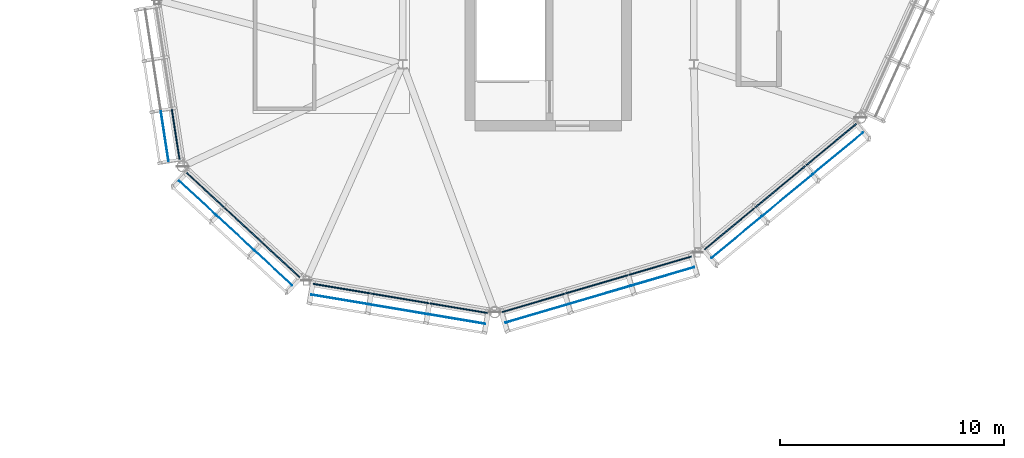
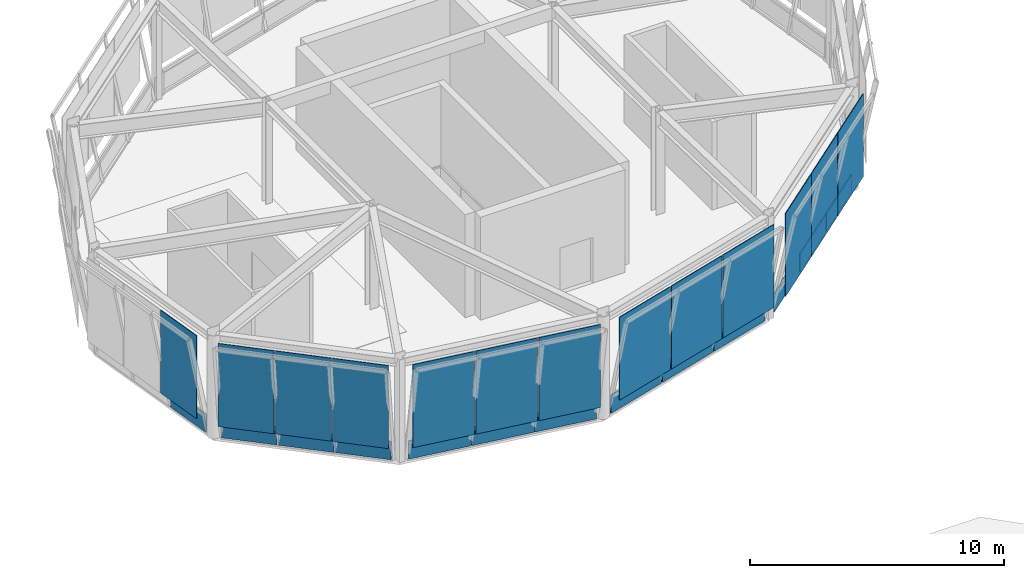
# One storey, part 73 of 113: 26 plates, 5 elements without a shape of their own.
"""IFC4 building model written with IfcOpenShell, lengths in metres."""

import ifcopenshell
import ifcopenshell.guid

model = None  # the IFC model being written
_history = None  # IfcOwnerHistory: only IFC2X3 demands one
_inside = {}  # id of a spatial element -> (the spatial element, [elements in it])
_under = {}  # id of a project, library or spatial element -> (it, [spatial elements below it])
_declared = {}  # id of a project -> (the project, [libraries it declares])
_typed = {}  # id of a type object -> (the type object, [elements of that type])
_made_of = {}  # id of a material, layer set ... -> (it, [elements and type objects made of it])


def new_model(schema):
    """Start an empty IFC model of exactly this schema.

    Asked for "IFC4X3", IfcOpenShell would pick the latest addendum, in which some entities
    have other attributes; the version numbers below select the first issue.
    IFC2X3 requires an IfcOwnerHistory on every rooted entity: one is made here for all.
    """
    global model, _history
    if schema == "IFC4X3":
        model = ifcopenshell.file(schema_version=(4, 3, 0, 0))
    else:
        model = ifcopenshell.file(schema=schema)
    _inside.clear()
    _under.clear()
    _declared.clear()
    _typed.clear()
    _made_of.clear()
    _history = None
    if model.schema == "IFC2X3":
        org = make("IfcOrganization", Name="unknown")
        user = make(
            "IfcPersonAndOrganization",
            ThePerson=make("IfcPerson", FamilyName="unknown"),
            TheOrganization=org,
        )
        app = make(
            "IfcApplication",
            ApplicationDeveloper=org,
            Version="unknown",
            ApplicationFullName="unknown",
            ApplicationIdentifier="unknown",
        )
        _history = make(
            "IfcOwnerHistory",
            OwningUser=user,
            OwningApplication=app,
            ChangeAction="ADDED",
            CreationDate=0,
        )
    return model


def make(cls, **values):
    """One entity of the class cls with the attributes given. An attribute that is None is left unset."""
    return model.create_entity(
        cls, **{name: value for name, value in values.items() if value is not None}
    )


def rooted(cls, **values):
    """An entity with a GlobalId (a new one), such as an element, a storey or a relation."""
    return make(cls, GlobalId=ifcopenshell.guid.new(), OwnerHistory=_history, **values)


def si_unit(unit_type, name, prefix=None):
    """IfcSIUnit, for example si_unit("LENGTHUNIT", "METRE", prefix="MILLI")."""
    return make("IfcSIUnit", UnitType=unit_type, Prefix=prefix, Name=name)


def assignment(units):
    """IfcUnitAssignment: the units of a project."""
    return None if units is None else make("IfcUnitAssignment", Units=units)


def point(xyz):
    """IfcCartesianPoint."""
    return None if xyz is None else make("IfcCartesianPoint", Coordinates=xyz)


def direction(xyz):
    """IfcDirection."""
    return None if xyz is None else make("IfcDirection", DirectionRatios=xyz)


def frame(location, z_axis=None, x_axis=None):
    """IfcAxis2Placement3D, a coordinate frame: its origin and axes. An axis left out is left unset."""
    return make(
        "IfcAxis2Placement3D",
        Location=point(location),
        Axis=direction(z_axis),
        RefDirection=direction(x_axis),
    )


def frame_2d(location, x_axis=None):
    """IfcAxis2Placement2D, a coordinate frame in the plane: its origin and x axis."""
    return make(
        "IfcAxis2Placement2D", Location=point(location), RefDirection=direction(x_axis)
    )


def origin():
    """The frame at (0, 0, 0) with its axes left unset."""
    return frame((0.0, 0.0, 0.0))


def origin_2d():
    """The frame at (0, 0) in the plane with its x axis left unset."""
    return frame_2d((0.0, 0.0))


def place(relative_to, where):
    """IfcLocalPlacement: puts the frame where relative to a parent placement (None: the world)."""
    return make(
        "IfcLocalPlacement", PlacementRelTo=relative_to, RelativePlacement=where
    )


def context(
    kind, dimensions, precision=None, world=None, true_north=None, identifier=None
):
    """IfcGeometricRepresentationContext, for example the 3D "Model" context."""
    return make(
        "IfcGeometricRepresentationContext",
        ContextIdentifier=identifier,
        ContextType=kind,
        CoordinateSpaceDimension=dimensions,
        Precision=precision,
        WorldCoordinateSystem=world,
        TrueNorth=true_north,
    )


def subcontext(parent, identifier, kind, view, scale=None):
    """IfcGeometricRepresentationSubContext, for example "Body" below "Model"."""
    return make(
        "IfcGeometricRepresentationSubContext",
        ContextIdentifier=identifier,
        ContextType=kind,
        ParentContext=parent,
        TargetScale=scale,
        TargetView=view,
    )


def project(units=None, contexts=None):
    """IfcProject with its units and contexts."""
    return rooted(
        "IfcProject",
        Name="project",
        RepresentationContexts=contexts,
        UnitsInContext=assignment(units),
    )


def spatial(cls, under=None, at=None, **own):
    """A site, building, storey or space (cls), placed at a placement, below another one or the project."""
    s = rooted(cls, ObjectPlacement=at, **own)
    if under is not None:
        _under.setdefault(under.id(), (under, []))[1].append(s)
    return s


def profile(cls, at=None, kind="AREA", **sizes):
    """A parametric profile (cls). Its sizes go by their IFC names, for example OverallWidth=200.0."""
    return make(cls, ProfileType=kind, Position=at, **sizes)


def rectangle(**sizes):
    """IfcRectangleProfileDef."""
    return profile("IfcRectangleProfileDef", **sizes)


def extrude(swept, where, along, depth):
    """IfcExtrudedAreaSolid: the profile swept, set in the frame where, extruded along a direction by depth."""
    return make(
        "IfcExtrudedAreaSolid",
        SweptArea=swept,
        Position=where,
        ExtrudedDirection=direction(along),
        Depth=depth,
    )


def shape(context_of_items, identifier, shape_type, items):
    """IfcShapeRepresentation: the items that make up one representation, for example the "Body"."""
    return make(
        "IfcShapeRepresentation",
        ContextOfItems=context_of_items,
        RepresentationIdentifier=identifier,
        RepresentationType=shape_type,
        Items=items,
    )


def material(Name=None, Category=None):
    """IfcMaterial."""
    return make("IfcMaterial", Name=Name, Category=Category)


def layer(
    of_material, thickness, ventilated=None, Name=None, Category=None, Priority=None
):
    """IfcMaterialLayer: one layer of a wall or slab, of a material (None: an air gap)."""
    return make(
        "IfcMaterialLayer",
        Material=of_material,
        LayerThickness=thickness,
        IsVentilated=ventilated,
        Name=Name,
        Category=Category,
        Priority=Priority,
    )


def layer_set(layers, Name=None):
    """IfcMaterialLayerSet."""
    return make("IfcMaterialLayerSet", MaterialLayers=layers, LayerSetName=Name)


def made_of(thing, what):
    """Note that an element or type object is made of a material, layer set ...; save() writes the relation."""
    if what is not None:
        _made_of.setdefault(what.id(), (what, []))[1].append(thing)
    return thing


def type_object(cls, material=None, **own):
    """A type object (cls), such as IfcWallType, which elements share."""
    return made_of(rooted(cls, **own), material)


def element(
    cls,
    number,
    at=None,
    inside=None,
    cuts=None,
    type_object=None,
    material=None,
    context=None,
    identifier="Body",
    shape_type=None,
    held_by="IfcProductDefinitionShape",
    body=None,
    shapes=None,
    **own,
):
    """One element of the class cls, such as IfcWall. Its Tag is "e" and its number.

    at: its placement. inside: the storey or other place that contains it. cuts: it is an
    opening in that element (IfcRelVoidsElement). A single representation is given by context,
    identifier, shape_type and body (its items); several are given by shapes. held_by: the class
    of the entity that holds the representations. save() writes the other relations.
    """
    e = rooted(cls, Tag="e%d" % number, ObjectPlacement=at, **own)
    if body is not None:
        shapes = [shape(context, identifier, shape_type, body)]
    if shapes is not None:
        e.Representation = make(held_by, Representations=shapes)
    if inside is not None:
        _inside.setdefault(inside.id(), (inside, []))[1].append(e)
    if cuts is not None:
        rooted(
            "IfcRelVoidsElement", RelatingBuildingElement=cuts, RelatedOpeningElement=e
        )
    if type_object is not None:
        _typed.setdefault(type_object.id(), (type_object, []))[1].append(e)
    return made_of(e, material)


def aggregate(whole, parts):
    """IfcRelAggregates: a whole, such as a stair, and the parts it consists of."""
    return rooted("IfcRelAggregates", RelatingObject=whole, RelatedObjects=parts)


def save(model, path):
    """Write the relations noted so far, then the file.

    IfcRelAggregates (storeys below a building ...), IfcRelContainedInSpatialStructure (elements
    in a storey), IfcRelDefinesByType, IfcRelAssociatesMaterial and IfcRelDeclares: one each for
    every whole, place, type object, material and project.
    """
    for whole, parts in _under.values():
        aggregate(whole, parts)
    for where, things in _inside.values():
        rooted(
            "IfcRelContainedInSpatialStructure",
            RelatedElements=things,
            RelatingStructure=where,
        )
    for kind, things in _typed.values():
        rooted("IfcRelDefinesByType", RelatedObjects=things, RelatingType=kind)
    for what, things in _made_of.values():
        rooted("IfcRelAssociatesMaterial", RelatedObjects=things, RelatingMaterial=what)
    for by, libraries in _declared.values():
        rooted("IfcRelDeclares", RelatingContext=by, RelatedDefinitions=libraries)
    model.write(path)


model = new_model("IFC4")

# Units and contexts
model_context = context("Model", 3, precision=1e-05, world=origin(), true_north=direction((0.0, 1.0)))
body_context = subcontext(model_context, "Body", "Model", "MODEL_VIEW")
ifc_project = project(units=[si_unit("LENGTHUNIT", "METRE"), si_unit("AREAUNIT", "SQUARE_METRE"), si_unit("VOLUMEUNIT", "CUBIC_METRE"), si_unit("PLANEANGLEUNIT", "RADIAN"), si_unit("MASSUNIT", "GRAM", prefix="KILO")], contexts=[model_context])

# Site, building, storey
site_placement = place(None, origin())
site = spatial("IfcSite", under=ifc_project, at=site_placement, CompositionType="ELEMENT")
building_placement = place(site_placement, origin())
building = spatial("IfcBuilding", under=site, at=building_placement, Name="Linyun Crest Stadium", CompositionType="ELEMENT")
storey_placement = place(building_placement, frame((0.0, 0.0, 26.39990234375)))
storey = spatial("IfcBuildingStorey", under=building, at=storey_placement, Name="L06", CompositionType="ELEMENT", Elevation=26.39990234375)

# Curtain wall, plate
ifc_material_1 = material(Name="Verdigris steel and low-E curtain wall assembly", Category="steel")
curtain_wall_type = type_object("IfcCurtainWallType", Name="MCW04", PredefinedType="NOTDEFINED", material=ifc_material_1)
curtain_wall_1_placement = place(storey_placement, origin())
curtain_wall_1 = element("IfcCurtainWall", 1, at=curtain_wall_1_placement, inside=storey, type_object=curtain_wall_type, Name="CWR-066", PredefinedType="NOTDEFINED")
ifc_material_2 = material(Name="Acoustic laminated low-E broadcast glass", Category="glass")
ifc_layer_1 = layer(ifc_material_2, 0.030029296875)
ifc_layer_set_1 = layer_set([ifc_layer_1], Name="Acoustic laminated low-E broadcast glass")
plate_type_1 = type_object("IfcPlateType", Name="GP02", PredefinedType="CURTAIN_PANEL", material=ifc_layer_set_1)
plate_1_placement = place(storey_placement, frame((56.364990234375, 77.2880859375, 0.884521484375), z_axis=(0.0, 0.0, 1.0), x_axis=(0.152054385169, -0.988372128275, 0.0)))
plate_1 = element("IfcPlate", 2, at=plate_1_placement, type_object=plate_type_1, Name="CWR-066 panel 3.2", PredefinedType="CURTAIN_PANEL", context=body_context, shape_type="SweptSolid", body=[
    extrude(rectangle(XDim=2.256103515625, YDim=0.030029296875, at=origin_2d()), origin(), (0.0, 0.0, 1.0), 3.9912109375),
])

# Curtain wall, plates
curtain_wall_2_placement = place(storey_placement, origin())
curtain_wall_2 = element("IfcCurtainWall", 3, at=curtain_wall_2_placement, inside=storey, type_object=curtain_wall_type, Name="CWR-067", PredefinedType="NOTDEFINED")
plate_2_placement = place(storey_placement, frame((57.833984375, 74.52294921875, 0.884521484375), z_axis=(0.0, 0.0, 1.0), x_axis=(0.734298814372, -0.678826377811, 0.0)))
plate_2 = element("IfcPlate", 4, at=plate_2_placement, type_object=plate_type_1, Name="CWR-067 panel 1.2", PredefinedType="CURTAIN_PANEL", context=body_context, shape_type="SweptSolid", body=[
    extrude(rectangle(XDim=2.2568359375, YDim=0.030029296875, at=origin_2d()), origin(), (0.0, 0.0, 1.0), 3.9912109375),
])
plate_3_placement = place(storey_placement, frame((59.528076171875, 72.95703125, 0.884521484375), z_axis=(0.0, 0.0, 1.0), x_axis=(0.734298814372, -0.678826377811, 0.0)))
plate_3 = element("IfcPlate", 5, at=plate_3_placement, type_object=plate_type_1, Name="CWR-067 panel 2.2", PredefinedType="CURTAIN_PANEL", context=body_context, shape_type="SweptSolid", body=[
    extrude(rectangle(XDim=2.2568359375, YDim=0.030029296875, at=origin_2d()), origin(), (0.0, 0.0, 1.0), 3.9912109375),
])
plate_4_placement = place(storey_placement, frame((61.221923828125, 71.39111328125, 0.884521484375), z_axis=(0.0, 0.0, 1.0), x_axis=(0.734298814372, -0.678826377811, 0.0)))
plate_4 = element("IfcPlate", 6, at=plate_4_placement, type_object=plate_type_1, Name="CWR-067 panel 3.2", PredefinedType="CURTAIN_PANEL", context=body_context, shape_type="SweptSolid", body=[
    extrude(rectangle(XDim=2.2568359375, YDim=0.030029296875, at=origin_2d()), origin(), (0.0, 0.0, 1.0), 3.9912109375),
])

curtain_wall_3_placement = place(storey_placement, origin())
curtain_wall_3 = element("IfcCurtainWall", 7, at=curtain_wall_3_placement, inside=storey, type_object=curtain_wall_type, Name="CWR-068", PredefinedType="NOTDEFINED")
plate_5_placement = place(storey_placement, frame((64.19091796875, 69.988037109375, 0.884521484375), z_axis=(0.0, 0.0, 1.0), x_axis=(0.986282720763, -0.165064819767, 0.0)))
plate_5 = element("IfcPlate", 8, at=plate_5_placement, type_object=plate_type_1, Name="CWR-068 panel 1.2", PredefinedType="CURTAIN_PANEL", context=body_context, shape_type="SweptSolid", body=[
    extrude(rectangle(XDim=2.59521484375, YDim=0.030029296875, at=origin_2d()), origin(), (0.0, 0.0, 1.0), 3.9912109375),
])
plate_6_placement = place(storey_placement, frame((66.800048828125, 69.551025390625, 0.884521484375), z_axis=(0.0, 0.0, 1.0), x_axis=(0.986282720763, -0.165064819767, 0.0)))
plate_6 = element("IfcPlate", 9, at=plate_6_placement, type_object=plate_type_1, Name="CWR-068 panel 2.2", PredefinedType="CURTAIN_PANEL", context=body_context, shape_type="SweptSolid", body=[
    extrude(rectangle(XDim=2.59521484375, YDim=0.030029296875, at=origin_2d()), origin(), (0.0, 0.0, 1.0), 3.9912109375),
])
plate_7_placement = place(storey_placement, frame((69.408935546875, 69.114013671875, 0.884521484375), z_axis=(0.0, 0.0, 1.0), x_axis=(0.986282720763, -0.165064819767, 0.0)))
plate_7 = element("IfcPlate", 10, at=plate_7_placement, type_object=plate_type_1, Name="CWR-068 panel 3.2", PredefinedType="CURTAIN_PANEL", context=body_context, shape_type="SweptSolid", body=[
    extrude(rectangle(XDim=2.59521484375, YDim=0.030029296875, at=origin_2d()), origin(), (0.0, 0.0, 1.0), 3.9912109375),
])

curtain_wall_4_placement = place(storey_placement, origin())
curtain_wall_4 = element("IfcCurtainWall", 11, at=curtain_wall_4_placement, inside=storey, type_object=curtain_wall_type, Name="CWR-069", PredefinedType="NOTDEFINED")
plate_8_placement = place(storey_placement, frame((72.972900390625, 69.362060546875, 0.884521484375), z_axis=(0.0, 0.0, 1.0), x_axis=(0.959437077917, 0.281922850294, 0.0)))
plate_8 = element("IfcPlate", 12, at=plate_8_placement, type_object=plate_type_1, Name="CWR-069 panel 1.2", PredefinedType="CURTAIN_PANEL", context=body_context, shape_type="SweptSolid", body=[
    extrude(rectangle(XDim=2.897705078125, YDim=0.030029296875, at=origin_2d()), origin(), (0.0, 0.0, 1.0), 3.9912109375),
])
plate_9_placement = place(storey_placement, frame((75.801025390625, 70.193115234375, 0.884521484375), z_axis=(0.0, 0.0, 1.0), x_axis=(0.959437077917, 0.281922850294, 0.0)))
plate_9 = element("IfcPlate", 13, at=plate_9_placement, type_object=plate_type_1, Name="CWR-069 panel 2.2", PredefinedType="CURTAIN_PANEL", context=body_context, shape_type="SweptSolid", body=[
    extrude(rectangle(XDim=2.897705078125, YDim=0.030029296875, at=origin_2d()), origin(), (0.0, 0.0, 1.0), 3.9912109375),
])
plate_10_placement = place(storey_placement, frame((78.62890625, 71.02392578125, 0.884521484375), z_axis=(0.0, 0.0, 1.0), x_axis=(0.959437077917, 0.281922850294, 0.0)))
plate_10 = element("IfcPlate", 14, at=plate_10_placement, type_object=plate_type_1, Name="CWR-069 panel 3.2", PredefinedType="CURTAIN_PANEL", context=body_context, shape_type="SweptSolid", body=[
    extrude(rectangle(XDim=2.897705078125, YDim=0.030029296875, at=origin_2d()), origin(), (0.0, 0.0, 1.0), 3.9912109375),
])

curtain_wall_5_placement = place(storey_placement, origin())
curtain_wall_5 = element("IfcCurtainWall", 15, at=curtain_wall_5_placement, inside=storey, type_object=curtain_wall_type, Name="CWR-070", PredefinedType="NOTDEFINED")
plate_11_placement = place(storey_placement, frame((81.906005859375, 72.76708984375, 0.884521484375), z_axis=(0.0, 0.0, 1.0), x_axis=(0.77024617165, 0.637746685651, 0.0)))
plate_11 = element("IfcPlate", 16, at=plate_11_placement, type_object=plate_type_1, Name="CWR-070 panel 1.2", PredefinedType="CURTAIN_PANEL", context=body_context, shape_type="SweptSolid", body=[
    extrude(rectangle(XDim=2.8984375, YDim=0.030029296875, at=origin_2d()), origin(), (0.0, 0.0, 1.0), 3.9912109375),
])
plate_12_placement = place(storey_placement, frame((84.177001953125, 74.64697265625, 0.884521484375), z_axis=(0.0, 0.0, 1.0), x_axis=(0.77024617165, 0.637746685651, 0.0)))
plate_12 = element("IfcPlate", 17, at=plate_12_placement, type_object=plate_type_1, Name="CWR-070 panel 2.2", PredefinedType="CURTAIN_PANEL", context=body_context, shape_type="SweptSolid", body=[
    extrude(rectangle(XDim=2.8984375, YDim=0.030029296875, at=origin_2d()), origin(), (0.0, 0.0, 1.0), 3.9912109375),
])
plate_13_placement = place(storey_placement, frame((86.447998046875, 76.528076171875, 0.884521484375), z_axis=(0.0, 0.0, 1.0), x_axis=(0.77024617165, 0.637746685651, 0.0)))
plate_13 = element("IfcPlate", 18, at=plate_13_placement, type_object=plate_type_1, Name="CWR-070 panel 3.2", PredefinedType="CURTAIN_PANEL", context=body_context, shape_type="SweptSolid", body=[
    extrude(rectangle(XDim=2.8984375, YDim=0.030029296875, at=origin_2d()), origin(), (0.0, 0.0, 1.0), 3.9912109375),
])

# Plate
ifc_material_3 = material(Name="Verdigris enamelled metal insulated spandrel")
ifc_layer_2 = layer(ifc_material_3, 0.053955078125)
ifc_layer_set_2 = layer_set([ifc_layer_2], Name="Verdigris enamelled metal insulated spandrel")
plate_type_2 = type_object("IfcPlateType", Name="SP03", PredefinedType="SHEET", material=ifc_layer_set_2)
plate_14_placement = place(storey_placement, frame((56.85302734375, 77.363037109375, 0.01611328125), z_axis=(0.0, 0.0, 1.0), x_axis=(0.152054385169, -0.988372128275, 0.0)))
plate_14 = element("IfcPlate", 19, at=plate_14_placement, type_object=plate_type_2, Name="CWR-066 panel 3.1", PredefinedType="SHEET", context=body_context, shape_type="SweptSolid", body=[
    extrude(rectangle(XDim=2.256103515625, YDim=0.053955078125, at=origin_2d()), origin(), (0.0, 0.0, 1.0), 0.868408203125),
])

aggregate(curtain_wall_1, [plate_14, plate_1])

plate_15_placement = place(storey_placement, frame((58.169921875, 74.885986328125, 0.01611328125), z_axis=(0.0, 0.0, 1.0), x_axis=(0.734298814372, -0.678826377811, 0.0)))
plate_15 = element("IfcPlate", 20, at=plate_15_placement, type_object=plate_type_2, Name="CWR-067 panel 1.1", PredefinedType="SHEET", context=body_context, shape_type="SweptSolid", body=[
    extrude(rectangle(XDim=2.2568359375, YDim=0.053955078125, at=origin_2d()), origin(), (0.0, 0.0, 1.0), 0.868408203125),
])

plate_16_placement = place(storey_placement, frame((59.864013671875, 73.320068359375, 0.01611328125), z_axis=(0.0, 0.0, 1.0), x_axis=(0.734298814372, -0.678826377811, 0.0)))
plate_16 = element("IfcPlate", 21, at=plate_16_placement, type_object=plate_type_2, Name="CWR-067 panel 2.1", PredefinedType="SHEET", context=body_context, shape_type="SweptSolid", body=[
    extrude(rectangle(XDim=2.2568359375, YDim=0.053955078125, at=origin_2d()), origin(), (0.0, 0.0, 1.0), 0.868408203125),
])

plate_17_placement = place(storey_placement, frame((61.55810546875, 71.75390625, 0.01611328125), z_axis=(0.0, 0.0, 1.0), x_axis=(0.734298814372, -0.678826377811, 0.0)))
plate_17 = element("IfcPlate", 22, at=plate_17_placement, type_object=plate_type_2, Name="CWR-067 panel 3.1", PredefinedType="SHEET", context=body_context, shape_type="SweptSolid", body=[
    extrude(rectangle(XDim=2.2568359375, YDim=0.053955078125, at=origin_2d()), origin(), (0.0, 0.0, 1.0), 0.868408203125),
])

aggregate(curtain_wall_2, [plate_15, plate_2, plate_16, plate_3, plate_17, plate_4])

plate_18_placement = place(storey_placement, frame((64.27197265625, 70.47509765625, 0.01611328125), z_axis=(0.0, 0.0, 1.0), x_axis=(0.986282720763, -0.165064819767, 0.0)))
plate_18 = element("IfcPlate", 23, at=plate_18_placement, type_object=plate_type_2, Name="CWR-068 panel 1.1", PredefinedType="SHEET", context=body_context, shape_type="SweptSolid", body=[
    extrude(rectangle(XDim=2.59521484375, YDim=0.053955078125, at=origin_2d()), origin(), (0.0, 0.0, 1.0), 0.868408203125),
])

plate_19_placement = place(storey_placement, frame((66.881103515625, 70.0390625, 0.01611328125), z_axis=(0.0, 0.0, 1.0), x_axis=(0.986282720763, -0.165064819767, 0.0)))
plate_19 = element("IfcPlate", 24, at=plate_19_placement, type_object=plate_type_2, Name="CWR-068 panel 2.1", PredefinedType="SHEET", context=body_context, shape_type="SweptSolid", body=[
    extrude(rectangle(XDim=2.59521484375, YDim=0.053955078125, at=origin_2d()), origin(), (0.0, 0.0, 1.0), 0.868408203125),
])

plate_20_placement = place(storey_placement, frame((69.489990234375, 69.60205078125, 0.01611328125), z_axis=(0.0, 0.0, 1.0), x_axis=(0.986282720763, -0.165064819767, 0.0)))
plate_20 = element("IfcPlate", 25, at=plate_20_placement, type_object=plate_type_2, Name="CWR-068 panel 3.1", PredefinedType="SHEET", context=body_context, shape_type="SweptSolid", body=[
    extrude(rectangle(XDim=2.59521484375, YDim=0.053955078125, at=origin_2d()), origin(), (0.0, 0.0, 1.0), 0.868408203125),
])

aggregate(curtain_wall_3, [plate_18, plate_5, plate_19, plate_6, plate_20, plate_7])

plate_21_placement = place(storey_placement, frame((72.833984375, 69.8369140625, 0.01611328125), z_axis=(0.0, 0.0, 1.0), x_axis=(0.959437077917, 0.281922850294, 0.0)))
plate_21 = element("IfcPlate", 26, at=plate_21_placement, type_object=plate_type_2, Name="CWR-069 panel 1.1", PredefinedType="SHEET", context=body_context, shape_type="SweptSolid", body=[
    extrude(rectangle(XDim=2.897705078125, YDim=0.053955078125, at=origin_2d()), origin(), (0.0, 0.0, 1.0), 0.868408203125),
])

plate_22_placement = place(storey_placement, frame((75.662109375, 70.66796875, 0.01611328125), z_axis=(0.0, 0.0, 1.0), x_axis=(0.959437077917, 0.281922850294, 0.0)))
plate_22 = element("IfcPlate", 27, at=plate_22_placement, type_object=plate_type_2, Name="CWR-069 panel 2.1", PredefinedType="SHEET", context=body_context, shape_type="SweptSolid", body=[
    extrude(rectangle(XDim=2.897705078125, YDim=0.053955078125, at=origin_2d()), origin(), (0.0, 0.0, 1.0), 0.868408203125),
])

plate_23_placement = place(storey_placement, frame((78.489990234375, 71.4990234375, 0.01611328125), z_axis=(0.0, 0.0, 1.0), x_axis=(0.959437077917, 0.281922850294, 0.0)))
plate_23 = element("IfcPlate", 28, at=plate_23_placement, type_object=plate_type_2, Name="CWR-069 panel 3.1", PredefinedType="SHEET", context=body_context, shape_type="SweptSolid", body=[
    extrude(rectangle(XDim=2.897705078125, YDim=0.053955078125, at=origin_2d()), origin(), (0.0, 0.0, 1.0), 0.868408203125),
])

aggregate(curtain_wall_4, [plate_21, plate_8, plate_22, plate_9, plate_23, plate_10])

plate_24_placement = place(storey_placement, frame((81.591064453125, 73.14794921875, 0.01611328125), z_axis=(0.0, 0.0, 1.0), x_axis=(0.77024617165, 0.637746685651, 0.0)))
plate_24 = element("IfcPlate", 29, at=plate_24_placement, type_object=plate_type_2, Name="CWR-070 panel 1.1", PredefinedType="SHEET", context=body_context, shape_type="SweptSolid", body=[
    extrude(rectangle(XDim=2.8984375, YDim=0.053955078125, at=origin_2d()), origin(), (0.0, 0.0, 1.0), 0.868408203125),
])

plate_25_placement = place(storey_placement, frame((83.862060546875, 75.028076171875, 0.01611328125), z_axis=(0.0, 0.0, 1.0), x_axis=(0.77024617165, 0.637746685651, 0.0)))
plate_25 = element("IfcPlate", 30, at=plate_25_placement, type_object=plate_type_2, Name="CWR-070 panel 2.1", PredefinedType="SHEET", context=body_context, shape_type="SweptSolid", body=[
    extrude(rectangle(XDim=2.8984375, YDim=0.053955078125, at=origin_2d()), origin(), (0.0, 0.0, 1.0), 0.868408203125),
])

plate_26_placement = place(storey_placement, frame((86.133056640625, 76.907958984375, 0.01611328125), z_axis=(0.0, 0.0, 1.0), x_axis=(0.77024617165, 0.637746685651, 0.0)))
plate_26 = element("IfcPlate", 31, at=plate_26_placement, type_object=plate_type_2, Name="CWR-070 panel 3.1", PredefinedType="SHEET", context=body_context, shape_type="SweptSolid", body=[
    extrude(rectangle(XDim=2.8984375, YDim=0.053955078125, at=origin_2d()), origin(), (0.0, 0.0, 1.0), 0.868408203125),
])

aggregate(curtain_wall_5, [plate_24, plate_11, plate_25, plate_12, plate_26, plate_13])

save(model, "model.ifc")
